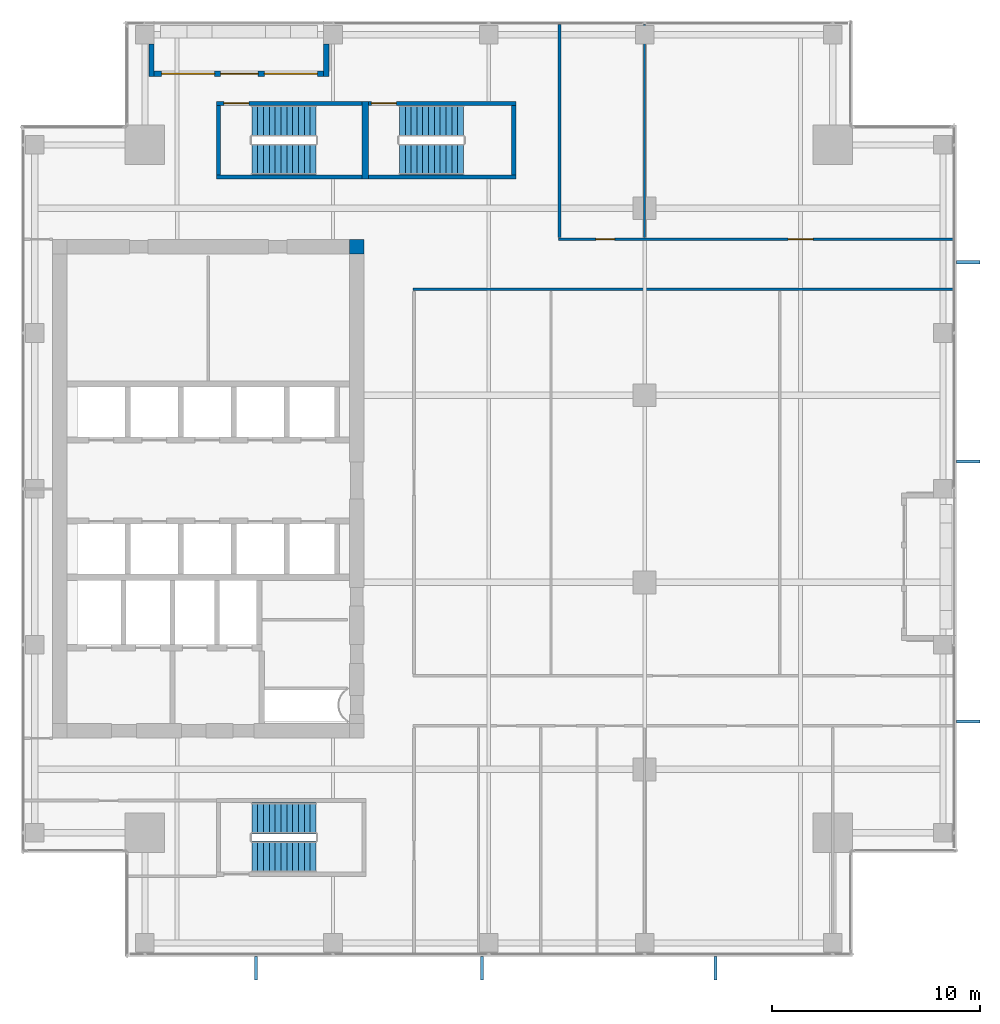
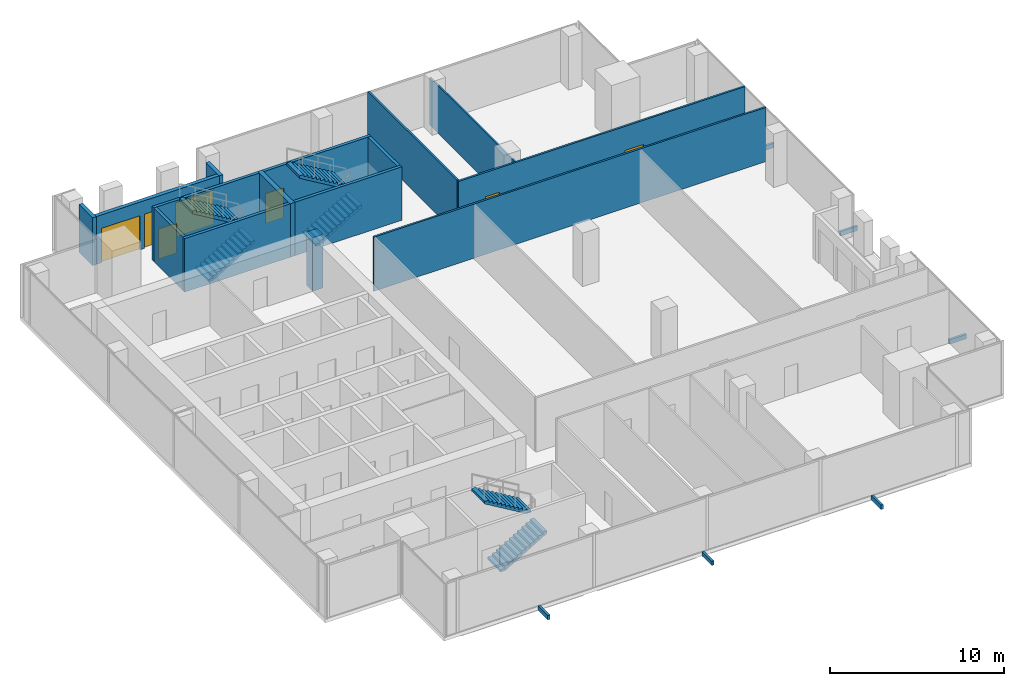
# One storey, part 33 of 36: 15 walls, 6 discrete accessories, 6 stair flights, 5 doors, 2 windows, 7 openings, 3 elements without a shape of their own.
"""IFC4 building model written with IfcOpenShell, lengths in metres."""

from ifc_helpers import new_model, si_unit, direction, frame, frame_2d, origin, origin_2d, place, context, subcontext, project, spatial, polyline, rectangle, outline, extrude, source, transform, mapped, material, layer, layer_set, type_object, element, fill, aggregate, save


model = new_model("IFC4")

# Units and contexts
model_context = context("Model", 3, precision=1e-05, world=origin(), true_north=direction((0.0, 1.0)))
body_context = subcontext(model_context, "Body", "Model", "MODEL_VIEW")
ifc_project = project(units=[si_unit("LENGTHUNIT", "METRE"), si_unit("AREAUNIT", "SQUARE_METRE"), si_unit("VOLUMEUNIT", "CUBIC_METRE"), si_unit("PLANEANGLEUNIT", "RADIAN"), si_unit("MASSUNIT", "GRAM", prefix="KILO")], contexts=[model_context])

# Site, building, storey
site_placement = place(None, origin())
site = spatial("IfcSite", under=ifc_project, at=site_placement, CompositionType="ELEMENT")
building_placement = place(site_placement, origin())
building = spatial("IfcBuilding", under=site, at=building_placement, Name="Khomas Fold Tower", CompositionType="ELEMENT")
storey_placement = place(building_placement, frame((0.0, 0.0, 226.199951171875)))
storey = spatial("IfcBuildingStorey", under=building, at=storey_placement, Name="L50", CompositionType="ELEMENT", Elevation=226.199951171875)

# Wall, opening, door
ifc_material_1 = material(Name="Concrete C50/60", Category="concrete")
ifc_layer_1 = layer(ifc_material_1, 0.199951171875)
ifc_layer_set_1 = layer_set([ifc_layer_1], Name="Concrete C50/60")
wall_type_1 = type_object("IfcWallType", Name="Stair wall 200", PredefinedType="SHEAR", material=ifc_layer_set_1)
shared_shape_1 = source(origin(), body_context, "Body", "SweptSolid", [
    extrude(rectangle(XDim=7.0, YDim=0.199951171875, at=frame_2d((3.5, 0.0))), origin(), (0.0, 0.0, 1.0), 3.75),
])
wall_1_placement = place(storey_placement, frame((13.89990234375, 45.550048828125, 0.0), z_axis=(0.0, 0.0, 1.0), x_axis=(1.0, 0.0, 0.0)))
wall_1 = element("IfcWall", 1, at=wall_1_placement, inside=storey, type_object=wall_type_1, Name="Stair wall SW-ST1-N", PredefinedType="SHEAR", context=body_context, shape_type="MappedRepresentation", body=[
    mapped(shared_shape_1, transform((0.0, 0.0, 0.0))),
])
shared_shape_2 = source(origin(), body_context, "Body", "SweptSolid", [
    extrude(rectangle(XDim=1.199951171875, YDim=2.10009765625, at=frame_2d((0.60009765625, 1.050048828125))), frame((0.0, 0.10986328125, 0.0), z_axis=(0.0, -1.0, 0.0), x_axis=(1.0, 0.0, 0.0)), (0.0, 0.0, 1.0), 0.219970703125),
])
opening_1_placement = place(wall_1_placement, frame((0.35009765625, 0.0, 0.0)))
opening_1 = element("IfcOpeningElement", 2, at=opening_1_placement, cuts=wall_1, Name="Opening SD-ST1", PredefinedType="OPENING", context=body_context, shape_type="MappedRepresentation", body=[
    mapped(shared_shape_2, transform((0.0, 0.0, 0.0))),
])
ifc_material_2 = material(Name="Steel door leaf", Category="steel")
door_type_1 = type_object("IfcDoorType", Name="Stair door 1200x2100 left-hand", OperationType="SINGLE_SWING_LEFT", PredefinedType="DOOR", material=ifc_material_2)
shared_shape_3 = source(origin(), body_context, "Body", "SweptSolid", [
    extrude(rectangle(XDim=1.199951171875, YDim=2.10009765625, at=frame_2d((0.60009765625, 1.050048828125))), frame((0.0, 0.02490234375, 0.0), z_axis=(0.0, -1.0, 0.0), x_axis=(1.0, 0.0, 0.0)), (0.0, 0.0, 1.0), 0.050048828125),
])
door_1_placement = place(opening_1_placement, origin())
door_1 = element("IfcDoor", 3, at=door_1_placement, inside=storey, type_object=door_type_1, Name="Stair door", OperationType="SINGLE_SWING_LEFT", OverallHeight=2.10009765625, OverallWidth=1.199951171875, PredefinedType="DOOR", context=body_context, shape_type="MappedRepresentation", body=[
    mapped(shared_shape_3, transform((0.0, 0.0, 0.0))),
])
fill(opening_1, door_1)

# Wall
wall_2_placement = place(storey_placement, frame((13.89990234375, 42.0, 0.0), z_axis=(0.0, 0.0, 1.0), x_axis=(1.0, 0.0, 0.0)))
element("IfcWall", 4, at=wall_2_placement, inside=storey, type_object=wall_type_1, Name="Stair wall SW-ST1-S", PredefinedType="SHEAR", context=body_context, shape_type="MappedRepresentation", body=[
    mapped(shared_shape_1, transform((0.0, 0.0, 0.0))),
])

# Wall, opening, door
shared_shape_4 = source(origin(), body_context, "Body", "SweptSolid", [
    extrude(rectangle(XDim=7.10009765625, YDim=0.199951171875, at=frame_2d((3.550048828125, 0.0))), origin(), (0.0, 0.0, 1.0), 3.75),
])
wall_3_placement = place(storey_placement, frame((21.199951171875, 45.550048828125, 0.0), z_axis=(0.0, 0.0, 1.0), x_axis=(1.0, 0.0, 0.0)))
wall_3 = element("IfcWall", 5, at=wall_3_placement, inside=storey, type_object=wall_type_1, Name="Stair wall SW-ST3-N", PredefinedType="SHEAR", context=body_context, shape_type="MappedRepresentation", body=[
    mapped(shared_shape_4, transform((0.0, 0.0, 0.0))),
])
opening_2_placement = place(wall_3_placement, frame((0.14990234375, 0.0, 0.0)))
opening_2 = element("IfcOpeningElement", 6, at=opening_2_placement, cuts=wall_3, Name="Opening SD-ST3", PredefinedType="OPENING", context=body_context, shape_type="MappedRepresentation", body=[
    mapped(shared_shape_2, transform((0.0, 0.0, 0.0))),
])
door_2_placement = place(opening_2_placement, origin())
door_2 = element("IfcDoor", 7, at=door_2_placement, inside=storey, type_object=door_type_1, Name="Stair door", OperationType="SINGLE_SWING_LEFT", OverallHeight=2.10009765625, OverallWidth=1.199951171875, PredefinedType="DOOR", context=body_context, shape_type="MappedRepresentation", body=[
    mapped(shared_shape_3, transform((0.0, 0.0, 0.0))),
])
fill(opening_2, door_2)

# Walls
wall_4_placement = place(storey_placement, frame((21.199951171875, 42.0, 0.0), z_axis=(0.0, 0.0, 1.0), x_axis=(1.0, 0.0, 0.0)))
element("IfcWall", 8, at=wall_4_placement, inside=storey, type_object=wall_type_1, Name="Stair wall SW-ST3-S", PredefinedType="SHEAR", context=body_context, shape_type="MappedRepresentation", body=[
    mapped(shared_shape_4, transform((0.0, 0.0, 0.0))),
])
ifc_material_3 = material(Name="Concrete C50/60", Category="concrete")
ifc_layer_2 = layer(ifc_material_3, 0.300048828125)
ifc_layer_set_2 = layer_set([ifc_layer_2], Name="Concrete C50/60")
wall_type_2 = type_object("IfcWallType", Name="Stair wall 300", PredefinedType="SHEAR", material=ifc_layer_set_2)
shared_shape_5 = source(origin(), body_context, "Body", "SweptSolid", [
    extrude(rectangle(XDim=3.75, YDim=0.300048828125, at=frame_2d((1.875, 0.0))), origin(), (0.0, 0.0, 1.0), 3.75),
])
wall_5_placement = place(storey_placement, frame((21.050048828125, 41.89990234375, 0.0), z_axis=(0.0, 0.0, 1.0), x_axis=(0.0, 1.0, 0.0)))
element("IfcWall", 9, at=wall_5_placement, inside=storey, type_object=wall_type_2, Name="Stair wall SW-ST1-E", PredefinedType="SHEAR", context=body_context, shape_type="MappedRepresentation", body=[
    mapped(shared_shape_5, transform((0.0, 0.0, 0.0))),
])
shared_shape_6 = source(origin(), body_context, "Body", "SweptSolid", [
    extrude(rectangle(XDim=3.349853515625, YDim=0.199951171875, at=frame_2d((1.6748046875, 0.0))), origin(), (0.0, 0.0, 1.0), 3.75),
])
for number, where, z_axis, x_axis, name in (
    (10, (14.0, 42.10009765625, 0.0), (0.0, 0.0, 1.0), (0.0, 1.0, 0.0), "Stair wall SW-ST1-W"),
    (11, (28.199951171875, 42.10009765625, 0.0), (0.0, 0.0, 1.0), (0.0, 1.0, 0.0), "Stair wall SW-ST3-E"),
):
    element("IfcWall", number, at=place(storey_placement, frame(where, z_axis=z_axis, x_axis=x_axis)), inside=storey, type_object=wall_type_1, Name=name, PredefinedType="SHEAR", context=body_context, shape_type="MappedRepresentation", body=[
        mapped(shared_shape_6, transform((0.0, 0.0, 0.0))),
    ])
ifc_material_4 = material(Name="Concrete C60/75", Category="concrete")
ifc_layer_3 = layer(ifc_material_4, 0.699951171875)
ifc_layer_set_3 = layer_set([ifc_layer_3], Name="Concrete C60/75")
wall_type_3 = type_object("IfcWallType", Name="Core corner wall 700", PredefinedType="SHEAR", material=ifc_layer_set_3)
shared_shape_7 = source(origin(), body_context, "Body", "SweptSolid", [
    extrude(rectangle(XDim=0.699951171875, YDim=0.699951171875, at=frame_2d((0.35009765625, 0.0))), origin(), (0.0, 0.0, 1.0), 3.75),
])
wall_6_placement = place(storey_placement, frame((20.300048828125, 38.64990234375, 0.0), z_axis=(0.0, 0.0, 1.0), x_axis=(1.0, 0.0, 0.0)))
element("IfcWall", 12, at=wall_6_placement, inside=storey, type_object=wall_type_3, Name="Core wall CW-U-NE-L49", PredefinedType="SHEAR", context=body_context, shape_type="MappedRepresentation", body=[
    mapped(shared_shape_7, transform((0.0, 0.0, 0.0))),
])

# Wall, openings, door, windows
ifc_material_5 = material(Name="Natural stone", Category="masonry")
ifc_layer_4 = layer(ifc_material_5, 0.0400390625)
ifc_material_6 = material(Name="Mineral wool insulation", Category="insulation")
ifc_layer_5 = layer(ifc_material_6, 0.10009765625)
ifc_material_7 = material(Name="Masonry", Category="masonry")
ifc_layer_6 = layer(ifc_material_7, 0.110107421875)
ifc_layer_set_4 = layer_set([ifc_layer_4, ifc_layer_5, ifc_layer_6], Name="Stone-faced insulated masonry")
wall_type_4 = type_object("IfcWallType", Name="BL-Balcony wall", PredefinedType="SOLIDWALL", material=ifc_layer_set_4)
shared_shape_8 = source(origin(), body_context, "Body", "SweptSolid", [
    extrude(rectangle(XDim=8.150146484375, YDim=0.25, at=frame_2d((4.0751953125, 0.0))), origin(), (0.0, 0.0, 1.0), 3.35009765625),
])
wall_7_placement = place(storey_placement, frame((10.89990234375, 46.97509765625, 0.0), z_axis=(0.0, 0.0, 1.0), x_axis=(1.0, 0.0, 0.0)))
wall_7 = element("IfcWall", 13, at=wall_7_placement, inside=storey, type_object=wall_type_4, Name="Balcony wall BAL-L50-N1", PredefinedType="SOLIDWALL", context=body_context, shape_type="MappedRepresentation", body=[
    mapped(shared_shape_8, transform((0.0, 0.0, 0.0))),
])
shared_shape_9 = source(origin(), body_context, "Body", "SweptSolid", [
    extrude(rectangle(XDim=2.550048828125, YDim=2.39990234375, at=frame_2d((1.27490234375, 1.199951171875))), frame((0.0, 0.135009765625, 0.0), z_axis=(0.0, -1.0, 0.0), x_axis=(1.0, 0.0, 0.0)), (0.0, 0.0, 1.0), 0.27001953125),
])
opening_3_placement = place(wall_7_placement, frame((0.35009765625, 0.0, 0.0)))
opening_3 = element("IfcOpeningElement", 14, at=opening_3_placement, cuts=wall_7, Name="Opening BL-W4", PredefinedType="OPENING", context=body_context, shape_type="MappedRepresentation", body=[
    mapped(shared_shape_9, transform((0.0, 0.0, 0.0))),
])
opening_4_placement = place(wall_7_placement, frame((5.300048828125, 0.0, 0.0)))
opening_4 = element("IfcOpeningElement", 15, at=opening_4_placement, cuts=wall_7, Name="Opening BL-W4", PredefinedType="OPENING", context=body_context, shape_type="MappedRepresentation", body=[
    mapped(shared_shape_9, transform((0.0, 0.0, 0.0))),
])
shared_shape_10 = source(origin(), body_context, "Body", "SweptSolid", [
    extrude(rectangle(XDim=1.800048828125, YDim=2.39990234375, at=frame_2d((0.89990234375, 1.199951171875))), frame((0.0, 0.135009765625, 0.0), z_axis=(0.0, -1.0, 0.0), x_axis=(1.0, 0.0, 0.0)), (0.0, 0.0, 1.0), 0.27001953125),
])
opening_5_placement = place(wall_7_placement, frame((3.199951171875, 0.0, 0.0)))
opening_5 = element("IfcOpeningElement", 16, at=opening_5_placement, cuts=wall_7, Name="Opening BD501", PredefinedType="OPENING", context=body_context, shape_type="MappedRepresentation", body=[
    mapped(shared_shape_10, transform((0.0, 0.0, 0.0))),
])
ifc_material_8 = material(Name="Aluminium framed double glazing", Category="aluminium")
door_type_2 = type_object("IfcDoorType", Name="BL-Glazed balcony door 1800 x 2400", OperationType="DOUBLE_DOOR_DOUBLE_SWING", PredefinedType="DOOR", material=ifc_material_8)
shared_shape_11 = source(origin(), body_context, "Body", "SweptSolid", [
    extrude(rectangle(XDim=1.800048828125, YDim=2.39990234375, at=frame_2d((0.89990234375, 1.199951171875))), frame((0.0, 0.02490234375, 0.0), z_axis=(0.0, -1.0, 0.0), x_axis=(1.0, 0.0, 0.0)), (0.0, 0.0, 1.0), 0.050048828125),
])
door_3_placement = place(opening_5_placement, origin())
door_3 = element("IfcDoor", 17, at=door_3_placement, inside=storey, type_object=door_type_2, Name="Balcony door BD501", OperationType="DOUBLE_DOOR_DOUBLE_SWING", OverallHeight=2.39990234375, OverallWidth=1.800048828125, PredefinedType="DOOR", context=body_context, shape_type="MappedRepresentation", body=[
    mapped(shared_shape_11, transform((0.0, 0.0, 0.0))),
])
fill(opening_5, door_3)
ifc_material_9 = material(Name="Aluminium framed double glazing", Category="aluminium")
window_type = type_object("IfcWindowType", Name="BL-Fixed glazing 2550 x 2400", PartitioningType="SINGLE_PANEL", PredefinedType="WINDOW", material=ifc_material_9)
shared_shape_12 = source(origin(), body_context, "Body", "SweptSolid", [
    extrude(rectangle(XDim=2.550048828125, YDim=2.39990234375, at=frame_2d((1.27490234375, 1.199951171875))), frame((0.0, 0.030029296875, 0.0), z_axis=(0.0, -1.0, 0.0), x_axis=(1.0, 0.0, 0.0)), (0.0, 0.0, 1.0), 0.06005859375),
])
window_1_placement = place(opening_3_placement, origin())
window_1 = element("IfcWindow", 18, at=window_1_placement, inside=storey, type_object=window_type, Name="Balcony glazing BAL-L50-N1-1", OverallHeight=2.39990234375, OverallWidth=2.550048828125, PartitioningType="SINGLE_PANEL", PredefinedType="WINDOW", context=body_context, shape_type="MappedRepresentation", body=[
    mapped(shared_shape_12, transform((0.0, 0.0, 0.0))),
])
fill(opening_3, window_1)
window_2_placement = place(opening_4_placement, origin())
window_2 = element("IfcWindow", 19, at=window_2_placement, inside=storey, type_object=window_type, Name="Balcony glazing BAL-L50-N1-2", OverallHeight=2.39990234375, OverallWidth=2.550048828125, PartitioningType="SINGLE_PANEL", PredefinedType="WINDOW", context=body_context, shape_type="MappedRepresentation", body=[
    mapped(shared_shape_12, transform((0.0, 0.0, 0.0))),
])
fill(opening_4, window_2)

# Walls
shared_shape_13 = source(origin(), body_context, "Body", "SweptSolid", [
    extrude(rectangle(XDim=1.5498046875, YDim=0.25, at=frame_2d((0.77490234375, 0.0))), origin(), (0.0, 0.0, 1.0), 3.35009765625),
])
for number, where, z_axis, x_axis, name in (
    (20, (10.77490234375, 48.39990234375, 0.0), (0.0, 0.0, 1.0), (0.0, -1.0, 0.0), "Balcony return wall BAL-L50-N1-lo"),
    (21, (19.175048828125, 48.39990234375, 0.0), (0.0, 0.0, 1.0), (0.0, -1.0, 0.0), "Balcony return wall BAL-L50-N1-hi"),
):
    element("IfcWall", number, at=place(storey_placement, frame(where, z_axis=z_axis, x_axis=x_axis)), inside=storey, type_object=wall_type_4, Name=name, PredefinedType="SOLIDWALL", context=body_context, shape_type="MappedRepresentation", body=[
        mapped(shared_shape_13, transform((0.0, 0.0, 0.0))),
    ])
ifc_material_10 = material(Name="Plasterboard partition")
ifc_layer_7 = layer(ifc_material_10, 0.125)
ifc_layer_set_5 = layer_set([ifc_layer_7], Name="Plasterboard partition")
wall_type_5 = type_object("IfcWallType", Name="Partition PW2 125", PredefinedType="PARTITIONING", material=ifc_layer_set_5)
shared_shape_14 = source(origin(), body_context, "Body", "SweptSolid", [
    extrude(rectangle(XDim=26.0, YDim=0.125, at=frame_2d((13.0, 0.0))), origin(), (0.0, 0.0, 1.0), 3.800048828125),
])
wall_8_placement = place(storey_placement, frame((23.35009765625, 36.60009765625, 0.0), z_axis=(0.0, 0.0, 1.0), x_axis=(1.0, 0.0, 0.0)))
element("IfcWall", 22, at=wall_8_placement, inside=storey, type_object=wall_type_5, Name="Partition", PredefinedType="PARTITIONING", context=body_context, shape_type="MappedRepresentation", body=[
    mapped(shared_shape_14, transform((0.0, 0.0, 0.0))),
])

# Wall, openings, doors
shared_shape_15 = source(origin(), body_context, "Body", "SweptSolid", [
    extrude(rectangle(XDim=19.0, YDim=0.125, at=frame_2d((9.5, 0.0))), origin(), (0.0, 0.0, 1.0), 3.800048828125),
])
wall_9_placement = place(storey_placement, frame((30.35009765625, 39.0, 0.0), z_axis=(0.0, 0.0, 1.0), x_axis=(1.0, 0.0, 0.0)))
wall_9 = element("IfcWall", 23, at=wall_9_placement, inside=storey, type_object=wall_type_5, Name="Partition", PredefinedType="PARTITIONING", context=body_context, shape_type="MappedRepresentation", body=[
    mapped(shared_shape_15, transform((0.0, 0.0, 0.0))),
])
shared_shape_16 = source(origin(), body_context, "Body", "SweptSolid", [
    extrude(rectangle(XDim=0.89990234375, YDim=2.10009765625, at=frame_2d((0.449951171875, 1.050048828125))), frame((0.0, 0.072509765625, 0.0), z_axis=(0.0, -1.0, 0.0), x_axis=(1.0, 0.0, 0.0)), (0.0, 0.0, 1.0), 0.14501953125),
])
opening_6_placement = place(wall_9_placement, frame((1.800048828125, 0.0, 0.0)))
opening_6 = element("IfcOpeningElement", 24, at=opening_6_placement, cuts=wall_9, Name="Opening 0007", PredefinedType="OPENING", context=body_context, shape_type="MappedRepresentation", body=[
    mapped(shared_shape_16, transform((0.0, 0.0, 0.0))),
])
shared_shape_17 = source(origin(), body_context, "Body", "SweptSolid", [
    extrude(rectangle(XDim=1.199951171875, YDim=2.10009765625, at=frame_2d((0.60009765625, 1.050048828125))), frame((0.0, 0.072509765625, 0.0), z_axis=(0.0, -1.0, 0.0), x_axis=(1.0, 0.0, 0.0)), (0.0, 0.0, 1.0), 0.14501953125),
])
opening_7_placement = place(wall_9_placement, frame((11.050048828125, 0.0, 0.0)))
opening_7 = element("IfcOpeningElement", 25, at=opening_7_placement, cuts=wall_9, Name="Opening 0013", PredefinedType="OPENING", context=body_context, shape_type="MappedRepresentation", body=[
    mapped(shared_shape_17, transform((0.0, 0.0, 0.0))),
])
ifc_material_11 = material(Name="Timber door leaf", Category="wood")
door_type_3 = type_object("IfcDoorType", Name="Door 900x2100 left-hand", OperationType="SINGLE_SWING_LEFT", PredefinedType="DOOR", material=ifc_material_11)
shared_shape_18 = source(origin(), body_context, "Body", "SweptSolid", [
    extrude(rectangle(XDim=0.89990234375, YDim=2.10009765625, at=frame_2d((0.449951171875, 1.050048828125))), frame((0.0, 0.02490234375, 0.0), z_axis=(0.0, -1.0, 0.0), x_axis=(1.0, 0.0, 0.0)), (0.0, 0.0, 1.0), 0.050048828125),
])
door_4_placement = place(opening_6_placement, origin())
door_4 = element("IfcDoor", 26, at=door_4_placement, inside=storey, type_object=door_type_3, Name="Door", OperationType="SINGLE_SWING_LEFT", OverallHeight=2.10009765625, OverallWidth=0.89990234375, PredefinedType="DOOR", context=body_context, shape_type="MappedRepresentation", body=[
    mapped(shared_shape_18, transform((0.0, 0.0, 0.0))),
])
fill(opening_6, door_4)
ifc_material_12 = material(Name="Timber door leaf", Category="wood")
door_type_4 = type_object("IfcDoorType", Name="Door 1200x2100 left-hand", OperationType="SINGLE_SWING_LEFT", PredefinedType="DOOR", material=ifc_material_12)
door_5_placement = place(opening_7_placement, origin())
door_5 = element("IfcDoor", 27, at=door_5_placement, inside=storey, type_object=door_type_4, Name="Door", OperationType="SINGLE_SWING_LEFT", OverallHeight=2.10009765625, OverallWidth=1.199951171875, PredefinedType="DOOR", context=body_context, shape_type="MappedRepresentation", body=[
    mapped(shared_shape_3, transform((0.0, 0.0, 0.0))),
])
fill(opening_7, door_5)

# Walls
shared_shape_19 = source(origin(), body_context, "Body", "SweptSolid", [
    extrude(rectangle(XDim=10.25, YDim=0.125, at=frame_2d((5.125, 0.0))), origin(), (0.0, 0.0, 1.0), 3.800048828125),
])
wall_10_placement = place(storey_placement, frame((30.39990234375, 39.10009765625, 0.0), z_axis=(0.0, 0.0, 1.0), x_axis=(0.0, 1.0, 0.0)))
element("IfcWall", 28, at=wall_10_placement, inside=storey, type_object=wall_type_5, Name="Partition", PredefinedType="PARTITIONING", context=body_context, shape_type="MappedRepresentation", body=[
    mapped(shared_shape_19, transform((0.0, 0.0, 0.0))),
])
ifc_material_13 = material(Name="Plasterboard partition")
ifc_layer_8 = layer(ifc_material_13, 0.10009765625)
ifc_layer_set_6 = layer_set([ifc_layer_8], Name="Plasterboard partition")
wall_type_6 = type_object("IfcWallType", Name="Partition PW1 100", PredefinedType="PARTITIONING", material=ifc_layer_set_6)
shared_shape_20 = source(origin(), body_context, "Body", "SweptSolid", [
    extrude(rectangle(XDim=10.25, YDim=0.10009765625, at=frame_2d((5.125, 0.0))), origin(), (0.0, 0.0, 1.0), 3.35009765625),
])
wall_11_placement = place(storey_placement, frame((34.5, 39.10009765625, 0.0), z_axis=(0.0, 0.0, 1.0), x_axis=(0.0, 1.0, 0.0)))
element("IfcWall", 29, at=wall_11_placement, inside=storey, type_object=wall_type_6, Name="Partition", PredefinedType="PARTITIONING", context=body_context, shape_type="MappedRepresentation", body=[
    mapped(shared_shape_20, transform((0.0, 0.0, 0.0))),
])

# Stair, stair flights
ifc_material_14 = material(Name="Concrete C40/50", Category="concrete")
stair_type_1 = type_object("IfcStairType", Name="Stair ST1", PredefinedType="HALF_TURN_STAIR", material=ifc_material_14)
stair_1_placement = place(storey_placement, origin())
stair_1 = element("IfcStair", 30, at=stair_1_placement, inside=storey, type_object=stair_type_1, Name="L50 ST1", PredefinedType="HALF_TURN_STAIR")
ifc_material_15 = material(Name="Concrete C40/50", Category="concrete")
stair_flight_type_1 = type_object("IfcStairFlightType", Name="Stair flight 1500 ST1", PredefinedType="STRAIGHT", material=ifc_material_15)
shared_shape_21 = source(origin(), body_context, "Body", "SweptSolid", [
    extrude(outline(polyline([(0.0, 0.0), (0.0, 0.012939453125), (0.0, 0.025634765625), (0.0, 0.03857421875), (0.0, 0.05126953125), (0.0, 0.064208984375), (0.0, 0.076904296875), (0.0, 0.08984375), (0.0, 0.1025390625), (0.0, 0.115478515625), (0.0, 0.128173828125), (0.0, 0.14111328125), (0.0, 0.15380859375), (0.0, 0.166748046875), (0.280029296875, 0.166748046875), (0.280029296875, 0.333251953125), (0.56005859375, 0.333251953125), (0.56005859375, 0.5), (0.840087890625, 0.5), (0.840087890625, 0.666748046875), (1.1201171875, 0.666748046875), (1.1201171875, 0.833251953125), (1.39990234375, 0.833251953125), (1.39990234375, 1.0), (1.679931640625, 1.0), (1.679931640625, 1.166748046875), (1.9599609375, 1.166748046875), (1.9599609375, 1.333251953125), (2.239990234375, 1.333251953125), (2.239990234375, 1.5), (2.52001953125, 1.5), (2.52001953125, 1.666748046875), (2.800048828125, 1.666748046875), (2.800048828125, 1.833251953125), (3.080078125, 1.833251953125), (3.080078125, 2.0), (3.080078125, 1.973876953125), (3.080078125, 1.947509765625), (3.080078125, 1.92138671875), (3.080078125, 1.89501953125), (3.080078125, 1.868896484375), (3.080078125, 1.842529296875), (3.080078125, 1.81640625), (3.080078125, 1.7900390625), (3.080078125, 1.763916015625), (3.080078125, 1.737548828125), (3.080078125, 1.71142578125), (3.080078125, 1.68505859375), (3.080078125, 1.658935546875), (0.29296875, 0.0), (0.0, 0.0)])), frame((0.0, 0.75, 0.0), z_axis=(0.0, -1.0, 0.0), x_axis=(1.0, 0.0, 0.0)), (0.0, 0.0, 1.0), 1.5),
])
stair_flight_1_placement = place(storey_placement, frame((15.60009765625, 42.85009765625, 0.0), z_axis=(0.0, 0.0, 1.0), x_axis=(1.0, 0.0, 0.0)))
stair_flight_1 = element("IfcStairFlight", 31, at=stair_flight_1_placement, type_object=stair_flight_type_1, Name="ST1 flight 1", NumberOfRisers=12, NumberOfTreads=11, PredefinedType="STRAIGHT", RiserHeight=0.166666667, TreadLength=0.28, context=body_context, shape_type="MappedRepresentation", body=[
    mapped(shared_shape_21, transform((0.0, 0.0, 0.0))),
])
stair_flight_2_placement = place(storey_placement, frame((18.679931640625, 44.699951171875, 2.0), z_axis=(0.0, 0.0, 1.0), x_axis=(-1.0, 0.0, 0.0)))
stair_flight_2 = element("IfcStairFlight", 32, at=stair_flight_2_placement, type_object=stair_flight_type_1, Name="ST1 flight 2", NumberOfRisers=12, NumberOfTreads=11, PredefinedType="STRAIGHT", RiserHeight=0.166666667, TreadLength=0.28, context=body_context, shape_type="MappedRepresentation", body=[
    mapped(shared_shape_21, transform((0.0, 0.0, 0.0))),
])
aggregate(stair_1, [stair_flight_1, stair_flight_2])

ifc_material_16 = material(Name="Concrete C40/50", Category="concrete")
stair_type_2 = type_object("IfcStairType", Name="Stair ST2", PredefinedType="HALF_TURN_STAIR", material=ifc_material_16)
stair_2_placement = place(storey_placement, origin())
stair_2 = element("IfcStair", 33, at=stair_2_placement, inside=storey, type_object=stair_type_2, Name="L50 ST2", PredefinedType="HALF_TURN_STAIR")
ifc_material_17 = material(Name="Concrete C40/50", Category="concrete")
stair_flight_type_2 = type_object("IfcStairFlightType", Name="Stair flight 1500 ST2", PredefinedType="STRAIGHT", material=ifc_material_17)
stair_flight_3_placement = place(storey_placement, frame((15.60009765625, 9.300048828125, 0.0), z_axis=(0.0, 0.0, 1.0), x_axis=(1.0, 0.0, 0.0)))
stair_flight_3 = element("IfcStairFlight", 34, at=stair_flight_3_placement, type_object=stair_flight_type_2, Name="ST2 flight 1", NumberOfRisers=12, NumberOfTreads=11, PredefinedType="STRAIGHT", RiserHeight=0.166666667, TreadLength=0.28, context=body_context, shape_type="MappedRepresentation", body=[
    mapped(shared_shape_21, transform((0.0, 0.0, 0.0))),
])
stair_flight_4_placement = place(storey_placement, frame((18.679931640625, 11.14990234375, 2.0), z_axis=(0.0, 0.0, 1.0), x_axis=(-1.0, 0.0, 0.0)))
stair_flight_4 = element("IfcStairFlight", 35, at=stair_flight_4_placement, type_object=stair_flight_type_2, Name="ST2 flight 2", NumberOfRisers=12, NumberOfTreads=11, PredefinedType="STRAIGHT", RiserHeight=0.166666667, TreadLength=0.28, context=body_context, shape_type="MappedRepresentation", body=[
    mapped(shared_shape_21, transform((0.0, 0.0, 0.0))),
])
aggregate(stair_2, [stair_flight_3, stair_flight_4])

ifc_material_18 = material(Name="Concrete C40/50", Category="concrete")
stair_type_3 = type_object("IfcStairType", Name="Stair ST3", PredefinedType="HALF_TURN_STAIR", material=ifc_material_18)
stair_3_placement = place(storey_placement, origin())
stair_3 = element("IfcStair", 36, at=stair_3_placement, inside=storey, type_object=stair_type_3, Name="L50 ST3", PredefinedType="HALF_TURN_STAIR")
ifc_material_19 = material(Name="Concrete C40/50", Category="concrete")
stair_flight_type_3 = type_object("IfcStairFlightType", Name="Stair flight 1500 ST3", PredefinedType="STRAIGHT", material=ifc_material_19)
stair_flight_5_placement = place(storey_placement, frame((22.699951171875, 42.85009765625, 0.0), z_axis=(0.0, 0.0, 1.0), x_axis=(1.0, 0.0, 0.0)))
stair_flight_5 = element("IfcStairFlight", 37, at=stair_flight_5_placement, type_object=stair_flight_type_3, Name="ST3 flight 1", NumberOfRisers=12, NumberOfTreads=11, PredefinedType="STRAIGHT", RiserHeight=0.166666667, TreadLength=0.28, context=body_context, shape_type="MappedRepresentation", body=[
    mapped(shared_shape_21, transform((0.0, 0.0, 0.0))),
])
stair_flight_6_placement = place(storey_placement, frame((25.780029296875, 44.699951171875, 2.0), z_axis=(0.0, 0.0, 1.0), x_axis=(-1.0, 0.0, 0.0)))
stair_flight_6 = element("IfcStairFlight", 38, at=stair_flight_6_placement, type_object=stair_flight_type_3, Name="ST3 flight 2", NumberOfRisers=12, NumberOfTreads=11, PredefinedType="STRAIGHT", RiserHeight=0.166666667, TreadLength=0.28, context=body_context, shape_type="MappedRepresentation", body=[
    mapped(shared_shape_21, transform((0.0, 0.0, 0.0))),
])
aggregate(stair_3, [stair_flight_5, stair_flight_6])

# Discrete accessories
ifc_material_20 = material(Name="Stainless steel", Category="steel")
discrete_accessory_type = type_object("IfcDiscreteAccessoryType", Name="SK-Stainless steel stone bracket", PredefinedType="BRACKET", material=ifc_material_20)
shared_shape_22 = source(origin(), body_context, "Body", "SweptSolid", [
    extrude(rectangle(XDim=1.13623046875, YDim=0.14990234375, at=origin_2d()), origin(), (0.0, 0.0, 1.0), 0.31005859375),
])
for number, where, z_axis, x_axis, name in (
    (39, (15.798095703125, 3.931884765625, -0.25), (0.0, 0.0, 1.0), (0.0, -1.0, 0.0), "Stone bracket L50 SS03-1-2"),
    (40, (26.675048828125, 3.931884765625, -0.25), (0.0, 0.0, 1.0), (0.0, -1.0, 0.0), "Stone bracket L50 SS06-2-2"),
    (41, (37.90234375, 3.931884765625, -0.25), (0.0, 0.0, 1.0), (0.0, -1.0, 0.0), "Stone bracket L50 SS09-3-2"),
    (42, (50.068115234375, 15.798095703125, -0.25), (0.0, 0.0, 1.0), (1.0, 0.0, 0.0), "Stone bracket L50 ES03-1-2"),
    (43, (50.068115234375, 28.312744140625, -0.25), (0.0, 0.0, 1.0), (1.0, 0.0, 0.0), "Stone bracket L50 ES06-2-2"),
    (44, (50.068115234375, 37.90234375, -0.25), (0.0, 0.0, 1.0), (1.0, 0.0, 0.0), "Stone bracket L50 ES09-3-2"),
):
    element("IfcDiscreteAccessory", number, at=place(storey_placement, frame(where, z_axis=z_axis, x_axis=x_axis)), inside=storey, type_object=discrete_accessory_type, Name=name, PredefinedType="BRACKET", context=body_context, shape_type="MappedRepresentation", body=[
        mapped(shared_shape_22, transform((0.0, 0.0, 0.0))),
    ])

save(model, "model.ifc")
